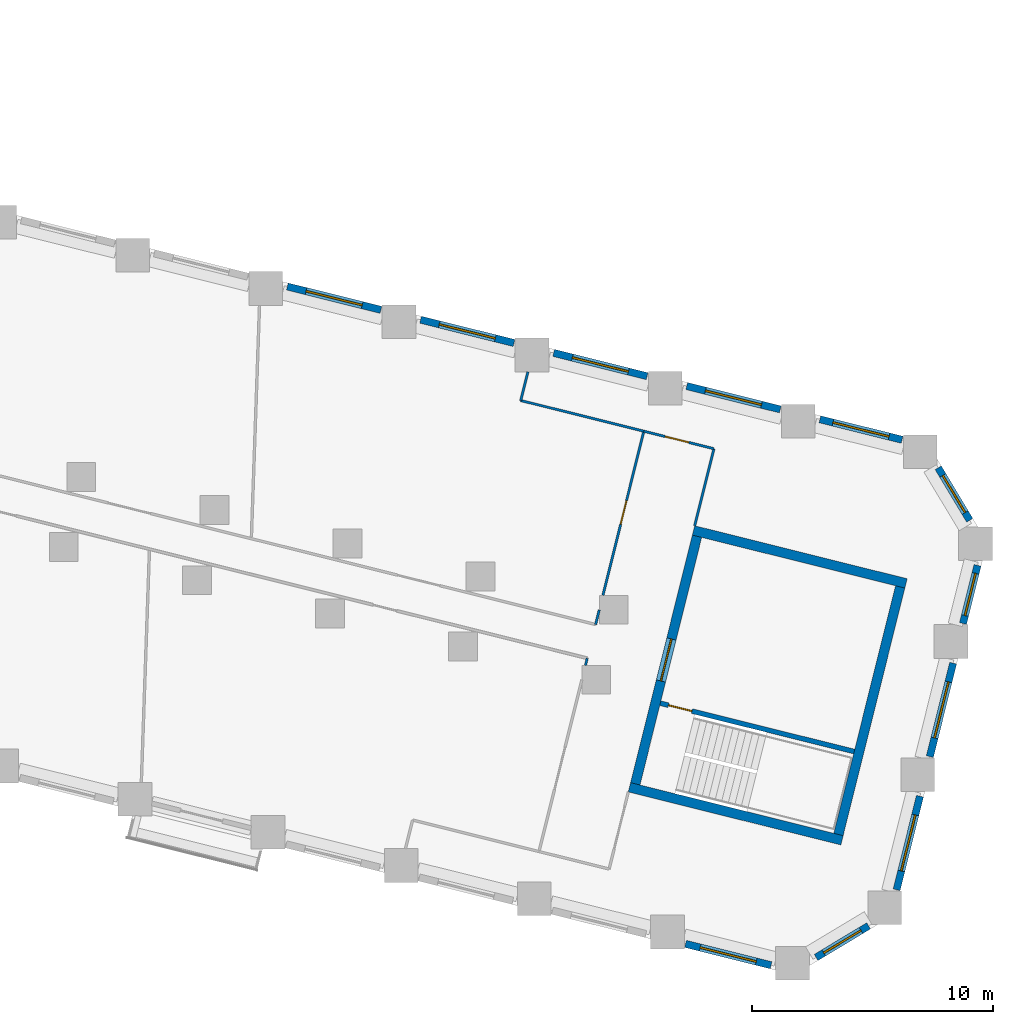
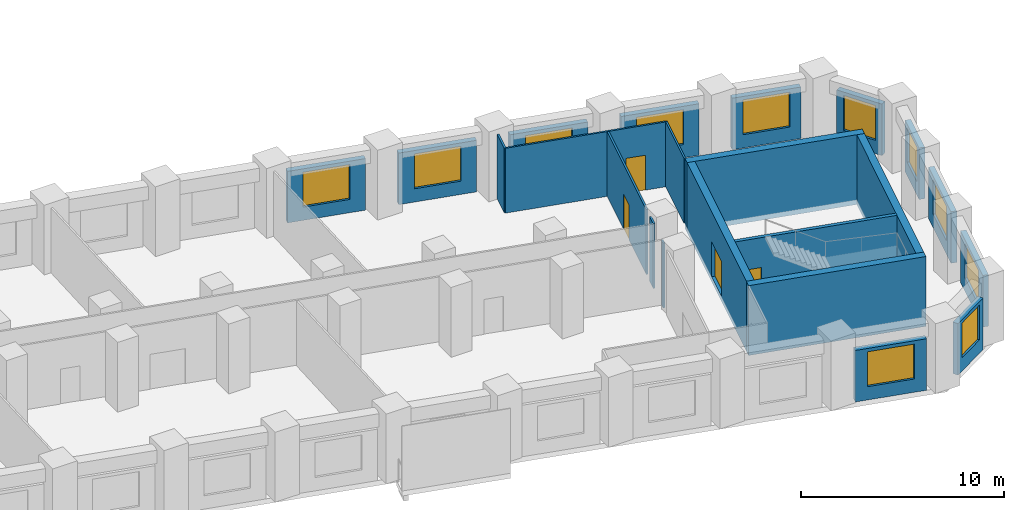
# One storey, part 7 of 11: 23 walls, 11 windows, 4 doors, 15 openings.
"""IFC4 building model written with IfcOpenShell, lengths in metres."""

import ifcopenshell
import ifcopenshell.guid

model = None  # the IFC model being written
_history = None  # IfcOwnerHistory: only IFC2X3 demands one
_inside = {}  # id of a spatial element -> (the spatial element, [elements in it])
_under = {}  # id of a project, library or spatial element -> (it, [spatial elements below it])
_declared = {}  # id of a project -> (the project, [libraries it declares])
_typed = {}  # id of a type object -> (the type object, [elements of that type])
_made_of = {}  # id of a material, layer set ... -> (it, [elements and type objects made of it])


def new_model(schema):
    """Start an empty IFC model of exactly this schema.

    Asked for "IFC4X3", IfcOpenShell would pick the latest addendum, in which some entities
    have other attributes; the version numbers below select the first issue.
    IFC2X3 requires an IfcOwnerHistory on every rooted entity: one is made here for all.
    """
    global model, _history
    if schema == "IFC4X3":
        model = ifcopenshell.file(schema_version=(4, 3, 0, 0))
    else:
        model = ifcopenshell.file(schema=schema)
    _inside.clear()
    _under.clear()
    _declared.clear()
    _typed.clear()
    _made_of.clear()
    _history = None
    if model.schema == "IFC2X3":
        org = make("IfcOrganization", Name="unknown")
        user = make(
            "IfcPersonAndOrganization",
            ThePerson=make("IfcPerson", FamilyName="unknown"),
            TheOrganization=org,
        )
        app = make(
            "IfcApplication",
            ApplicationDeveloper=org,
            Version="unknown",
            ApplicationFullName="unknown",
            ApplicationIdentifier="unknown",
        )
        _history = make(
            "IfcOwnerHistory",
            OwningUser=user,
            OwningApplication=app,
            ChangeAction="ADDED",
            CreationDate=0,
        )
    return model


def make(cls, **values):
    """One entity of the class cls with the attributes given. An attribute that is None is left unset."""
    return model.create_entity(
        cls, **{name: value for name, value in values.items() if value is not None}
    )


def rooted(cls, **values):
    """An entity with a GlobalId (a new one), such as an element, a storey or a relation."""
    return make(cls, GlobalId=ifcopenshell.guid.new(), OwnerHistory=_history, **values)


def si_unit(unit_type, name, prefix=None):
    """IfcSIUnit, for example si_unit("LENGTHUNIT", "METRE", prefix="MILLI")."""
    return make("IfcSIUnit", UnitType=unit_type, Prefix=prefix, Name=name)


def assignment(units):
    """IfcUnitAssignment: the units of a project."""
    return None if units is None else make("IfcUnitAssignment", Units=units)


def point(xyz):
    """IfcCartesianPoint."""
    return None if xyz is None else make("IfcCartesianPoint", Coordinates=xyz)


def direction(xyz):
    """IfcDirection."""
    return None if xyz is None else make("IfcDirection", DirectionRatios=xyz)


def frame(location, z_axis=None, x_axis=None):
    """IfcAxis2Placement3D, a coordinate frame: its origin and axes. An axis left out is left unset."""
    return make(
        "IfcAxis2Placement3D",
        Location=point(location),
        Axis=direction(z_axis),
        RefDirection=direction(x_axis),
    )


def frame_2d(location, x_axis=None):
    """IfcAxis2Placement2D, a coordinate frame in the plane: its origin and x axis."""
    return make(
        "IfcAxis2Placement2D", Location=point(location), RefDirection=direction(x_axis)
    )


def origin():
    """The frame at (0, 0, 0) with its axes left unset."""
    return frame((0.0, 0.0, 0.0))


def place(relative_to, where):
    """IfcLocalPlacement: puts the frame where relative to a parent placement (None: the world)."""
    return make(
        "IfcLocalPlacement", PlacementRelTo=relative_to, RelativePlacement=where
    )


def context(
    kind, dimensions, precision=None, world=None, true_north=None, identifier=None
):
    """IfcGeometricRepresentationContext, for example the 3D "Model" context."""
    return make(
        "IfcGeometricRepresentationContext",
        ContextIdentifier=identifier,
        ContextType=kind,
        CoordinateSpaceDimension=dimensions,
        Precision=precision,
        WorldCoordinateSystem=world,
        TrueNorth=true_north,
    )


def subcontext(parent, identifier, kind, view, scale=None):
    """IfcGeometricRepresentationSubContext, for example "Body" below "Model"."""
    return make(
        "IfcGeometricRepresentationSubContext",
        ContextIdentifier=identifier,
        ContextType=kind,
        ParentContext=parent,
        TargetScale=scale,
        TargetView=view,
    )


def project(units=None, contexts=None):
    """IfcProject with its units and contexts."""
    return rooted(
        "IfcProject",
        Name="project",
        RepresentationContexts=contexts,
        UnitsInContext=assignment(units),
    )


def spatial(cls, under=None, at=None, **own):
    """A site, building, storey or space (cls), placed at a placement, below another one or the project."""
    s = rooted(cls, ObjectPlacement=at, **own)
    if under is not None:
        _under.setdefault(under.id(), (under, []))[1].append(s)
    return s


def profile(cls, at=None, kind="AREA", **sizes):
    """A parametric profile (cls). Its sizes go by their IFC names, for example OverallWidth=200.0."""
    return make(cls, ProfileType=kind, Position=at, **sizes)


def rectangle(**sizes):
    """IfcRectangleProfileDef."""
    return profile("IfcRectangleProfileDef", **sizes)


def extrude(swept, where, along, depth):
    """IfcExtrudedAreaSolid: the profile swept, set in the frame where, extruded along a direction by depth."""
    return make(
        "IfcExtrudedAreaSolid",
        SweptArea=swept,
        Position=where,
        ExtrudedDirection=direction(along),
        Depth=depth,
    )


def shape(context_of_items, identifier, shape_type, items):
    """IfcShapeRepresentation: the items that make up one representation, for example the "Body"."""
    return make(
        "IfcShapeRepresentation",
        ContextOfItems=context_of_items,
        RepresentationIdentifier=identifier,
        RepresentationType=shape_type,
        Items=items,
    )


def material(Name=None, Category=None):
    """IfcMaterial."""
    return make("IfcMaterial", Name=Name, Category=Category)


def layer(
    of_material, thickness, ventilated=None, Name=None, Category=None, Priority=None
):
    """IfcMaterialLayer: one layer of a wall or slab, of a material (None: an air gap)."""
    return make(
        "IfcMaterialLayer",
        Material=of_material,
        LayerThickness=thickness,
        IsVentilated=ventilated,
        Name=Name,
        Category=Category,
        Priority=Priority,
    )


def layer_set(layers, Name=None):
    """IfcMaterialLayerSet."""
    return make("IfcMaterialLayerSet", MaterialLayers=layers, LayerSetName=Name)


def made_of(thing, what):
    """Note that an element or type object is made of a material, layer set ...; save() writes the relation."""
    if what is not None:
        _made_of.setdefault(what.id(), (what, []))[1].append(thing)
    return thing


def type_object(cls, material=None, **own):
    """A type object (cls), such as IfcWallType, which elements share."""
    return made_of(rooted(cls, **own), material)


def element(
    cls,
    number,
    at=None,
    inside=None,
    cuts=None,
    type_object=None,
    material=None,
    context=None,
    identifier="Body",
    shape_type=None,
    held_by="IfcProductDefinitionShape",
    body=None,
    shapes=None,
    **own,
):
    """One element of the class cls, such as IfcWall. Its Tag is "e" and its number.

    at: its placement. inside: the storey or other place that contains it. cuts: it is an
    opening in that element (IfcRelVoidsElement). A single representation is given by context,
    identifier, shape_type and body (its items); several are given by shapes. held_by: the class
    of the entity that holds the representations. save() writes the other relations.
    """
    e = rooted(cls, Tag="e%d" % number, ObjectPlacement=at, **own)
    if body is not None:
        shapes = [shape(context, identifier, shape_type, body)]
    if shapes is not None:
        e.Representation = make(held_by, Representations=shapes)
    if inside is not None:
        _inside.setdefault(inside.id(), (inside, []))[1].append(e)
    if cuts is not None:
        rooted(
            "IfcRelVoidsElement", RelatingBuildingElement=cuts, RelatedOpeningElement=e
        )
    if type_object is not None:
        _typed.setdefault(type_object.id(), (type_object, []))[1].append(e)
    return made_of(e, material)


def fill(opening, filler):
    """IfcRelFillsElement: the door or window that sits in an opening."""
    return rooted(
        "IfcRelFillsElement",
        RelatingOpeningElement=opening,
        RelatedBuildingElement=filler,
    )


def aggregate(whole, parts):
    """IfcRelAggregates: a whole, such as a stair, and the parts it consists of."""
    return rooted("IfcRelAggregates", RelatingObject=whole, RelatedObjects=parts)


def save(model, path):
    """Write the relations noted so far, then the file.

    IfcRelAggregates (storeys below a building ...), IfcRelContainedInSpatialStructure (elements
    in a storey), IfcRelDefinesByType, IfcRelAssociatesMaterial and IfcRelDeclares: one each for
    every whole, place, type object, material and project.
    """
    for whole, parts in _under.values():
        aggregate(whole, parts)
    for where, things in _inside.values():
        rooted(
            "IfcRelContainedInSpatialStructure",
            RelatedElements=things,
            RelatingStructure=where,
        )
    for kind, things in _typed.values():
        rooted("IfcRelDefinesByType", RelatedObjects=things, RelatingType=kind)
    for what, things in _made_of.values():
        rooted("IfcRelAssociatesMaterial", RelatedObjects=things, RelatingMaterial=what)
    for by, libraries in _declared.values():
        rooted("IfcRelDeclares", RelatingContext=by, RelatedDefinitions=libraries)
    model.write(path)


model = new_model("IFC4")

# Units and contexts
model_context = context("Model", 3, precision=1e-05, world=origin(), true_north=direction((0.0, 1.0)))
body_context = subcontext(model_context, "Body", "Model", "MODEL_VIEW")
ifc_project = project(units=[si_unit("LENGTHUNIT", "METRE"), si_unit("AREAUNIT", "SQUARE_METRE"), si_unit("VOLUMEUNIT", "CUBIC_METRE"), si_unit("PLANEANGLEUNIT", "RADIAN"), si_unit("MASSUNIT", "GRAM", prefix="KILO")], contexts=[model_context])

# Site, building, storey
site_placement = place(None, origin())
site = spatial("IfcSite", under=ifc_project, at=site_placement, CompositionType="ELEMENT")
building_placement = place(site_placement, origin())
building = spatial("IfcBuilding", under=site, at=building_placement, Name="Meshkara Civic Tower", CompositionType="ELEMENT")
storey_placement = place(building_placement, frame((0.0, 0.0, 75.0)))
storey = spatial("IfcBuildingStorey", under=building, at=storey_placement, Name="L16", CompositionType="ELEMENT", Elevation=75.0)

# Walls
ifc_material_1 = material(Name="Corridor wall 100")
ifc_layer_1 = layer(ifc_material_1, 0.10009765625)
ifc_layer_set_1 = layer_set([ifc_layer_1], Name="Corridor wall 100")
wall_type_1 = type_object("IfcWallType", Name="Corridor wall 100", PredefinedType="PARTITIONING", material=ifc_layer_set_1)
wall_1_placement = place(storey_placement, frame((74.35595703125, -7.534912109375, 0.0), z_axis=(0.0, 0.0, 1.0), x_axis=(-0.24082959107, -0.970567415518, 0.0)))
element("IfcWall", 1, at=wall_1_placement, inside=storey, type_object=wall_type_1, Name="L16-W027", PredefinedType="PARTITIONING", context=body_context, shape_type="SweptSolid", body=[
    extrude(rectangle(XDim=0.30322265625, YDim=0.10009765625, at=frame_2d((0.151611328125, 0.0))), origin(), (0.0, 0.0, 1.0), 3.89990234375),
])
wall_2_placement = place(storey_placement, frame((74.85595703125, -5.527099609375, 0.0), z_axis=(0.0, 0.0, 1.0), x_axis=(-0.241982798004, -0.970280539571, 0.0)))
element("IfcWall", 2, at=wall_2_placement, inside=storey, type_object=wall_type_1, Name="L16-W028", PredefinedType="PARTITIONING", context=body_context, shape_type="SweptSolid", body=[
    extrude(rectangle(XDim=0.62353515625, YDim=0.10009765625, at=frame_2d((0.311767578125, 0.0))), origin(), (0.0, 0.0, 1.0), 3.89990234375),
])

# Wall, opening, door
wall_3_placement = place(storey_placement, frame((76.7080078125, 1.89892578125, 0.0), z_axis=(0.0, 0.0, 1.0), x_axis=(-0.241963232294, -0.970285418945, 0.0)))
wall_3 = element("IfcWall", 3, at=wall_3_placement, inside=storey, type_object=wall_type_1, Name="L16-W030", PredefinedType="PARTITIONING", context=body_context, shape_type="SweptSolid", body=[
    extrude(rectangle(XDim=7.025634765625, YDim=0.10009765625, at=frame_2d((3.5126953125, 0.0))), origin(), (0.0, 0.0, 1.0), 3.89990234375),
])
opening_1_placement = place(wall_3_placement, frame((2.97998046875, 0.0, 0.0)))
opening_1 = element("IfcOpeningElement", 4, at=opening_1_placement, cuts=wall_3, Name="Opening L16-D008", PredefinedType="OPENING", context=body_context, shape_type="SweptSolid", body=[
    extrude(rectangle(XDim=1.0, YDim=2.10009765625, at=frame_2d((0.5, 1.050048828125))), frame((0.0, 0.06005859375, 0.0), z_axis=(0.0, -1.0, 0.0), x_axis=(1.0, 0.0, 0.0)), (0.0, 0.0, 1.0), 0.1201171875),
])
ifc_material_2 = material(Name="Door 1000 x 2100")
door_type_1 = type_object("IfcDoorType", Name="Door 1000 x 2100", OperationType="SINGLE_SWING_LEFT", PredefinedType="DOOR", material=ifc_material_2)
door_1_placement = place(opening_1_placement, origin())
door_1 = element("IfcDoor", 5, at=door_1_placement, inside=storey, type_object=door_type_1, Name="L16-D008", OperationType="SINGLE_SWING_RIGHT", OverallHeight=2.10009765625, OverallWidth=1.0, PredefinedType="DOOR", context=body_context, shape_type="SweptSolid", body=[
    extrude(rectangle(XDim=1.0, YDim=2.10009765625, at=frame_2d((0.5, 1.050048828125))), frame((0.0, 0.02490234375, 0.0), z_axis=(0.0, -1.0, 0.0), x_axis=(1.0, 0.0, 0.0)), (0.0, 0.0, 1.0), 0.050048828125),
])
fill(opening_1, door_1)

# Wall
wall_4_placement = place(storey_placement, frame((78.821044921875, -2.029052734375, 0.0), z_axis=(0.0, 0.0, 1.0), x_axis=(0.241769629392, 0.970333677816, 0.0)))
element("IfcWall", 6, at=wall_4_placement, inside=storey, type_object=wall_type_1, Name="L16-W031", PredefinedType="PARTITIONING", context=body_context, shape_type="SweptSolid", body=[
    extrude(rectangle(XDim=3.300048828125, YDim=0.10009765625, at=frame_2d((1.64990234375, 0.0))), origin(), (0.0, 0.0, 1.0), 3.89990234375),
])

# Wall, opening, door
wall_5_placement = place(storey_placement, frame((79.618896484375, 1.173095703125, 0.0), z_axis=(0.0, 0.0, 1.0), x_axis=(-0.970290716908, 0.241941986192, 0.0)))
wall_5 = element("IfcWall", 7, at=wall_5_placement, inside=storey, type_object=wall_type_1, Name="L16-W032", PredefinedType="PARTITIONING", context=body_context, shape_type="SweptSolid", body=[
    extrude(rectangle(XDim=3.0, YDim=0.10009765625, at=frame_2d((1.5, 0.0))), origin(), (0.0, 0.0, 1.0), 3.89990234375),
])
opening_2_placement = place(wall_5_placement, frame((1.080078125, 0.0, 0.0)))
opening_2 = element("IfcOpeningElement", 8, at=opening_2_placement, cuts=wall_5, Name="Opening L16-D012", PredefinedType="OPENING", context=body_context, shape_type="SweptSolid", body=[
    extrude(rectangle(XDim=1.0, YDim=2.10009765625, at=frame_2d((0.5, 1.050048828125))), frame((0.0, 0.06005859375, 0.0), z_axis=(0.0, -1.0, 0.0), x_axis=(1.0, 0.0, 0.0)), (0.0, 0.0, 1.0), 0.1201171875),
])
door_2_placement = place(opening_2_placement, origin())
door_2 = element("IfcDoor", 9, at=door_2_placement, inside=storey, type_object=door_type_1, Name="L16-D012", OperationType="SINGLE_SWING_LEFT", OverallHeight=2.10009765625, OverallWidth=1.0, PredefinedType="DOOR", context=body_context, shape_type="SweptSolid", body=[
    extrude(rectangle(XDim=1.0, YDim=2.10009765625, at=frame_2d((0.5, 1.050048828125))), frame((0.0, 0.02490234375, 0.0), z_axis=(0.0, -1.0, 0.0), x_axis=(1.0, 0.0, 0.0)), (0.0, 0.0, 1.0), 0.050048828125),
])
fill(opening_2, door_2)

# Wall, opening, window
ifc_material_3 = material(Name="Insulated infill panel with bronze anodised aluminium cladding", Category="aluminium")
ifc_layer_2 = layer(ifc_material_3, 0.300048828125)
ifc_layer_set_2 = layer_set([ifc_layer_2], Name="EXTERNAL INFILL WALL 300")
wall_type_2 = type_object("IfcWallType", Name="EXTERNAL INFILL WALL 300", PredefinedType="SOLIDWALL", material=ifc_layer_set_2)
wall_6_placement = place(storey_placement, frame((87.43505859375, 1.54296875, 0.0), z_axis=(0.0, 0.0, 1.0), x_axis=(-0.970289298425, 0.241947674843, 0.0)))
wall_6 = element("IfcWall", 10, at=wall_6_placement, inside=storey, type_object=wall_type_2, Name="External wall", PredefinedType="SOLIDWALL", context=body_context, shape_type="SweptSolid", body=[
    extrude(rectangle(XDim=3.517578125, YDim=0.300048828125, at=frame_2d((1.7587890625, 0.0))), origin(), (0.0, 0.0, 1.0), 3.10009765625),
])
opening_3_placement = place(wall_6_placement, frame((0.55908203125, 0.0, 0.800048828125)))
opening_3 = element("IfcOpeningElement", 11, at=opening_3_placement, cuts=wall_6, Name="Opening W7", PredefinedType="OPENING", context=body_context, shape_type="SweptSolid", body=[
    extrude(rectangle(XDim=2.39990234375, YDim=2.10009765625, at=frame_2d((1.199951171875, 1.050048828125))), frame((0.0, 0.159912109375, 0.0), z_axis=(0.0, -1.0, 0.0), x_axis=(1.0, 0.0, 0.0)), (0.0, 0.0, 1.0), 0.320068359375),
])
ifc_material_4 = material(Name="Tinted double glazing", Category="glass")
window_type_1 = type_object("IfcWindowType", Name="WINDOW 2400x2100", PartitioningType="DOUBLE_PANEL_VERTICAL", PredefinedType="WINDOW", material=ifc_material_4)
window_1_placement = place(opening_3_placement, origin())
window_1 = element("IfcWindow", 12, at=window_1_placement, inside=storey, type_object=window_type_1, Name="Window", OverallHeight=2.10009765625, OverallWidth=2.39990234375, PartitioningType="DOUBLE_PANEL_VERTICAL", PredefinedType="WINDOW", context=body_context, shape_type="SweptSolid", body=[
    extrude(rectangle(XDim=2.39990234375, YDim=2.10009765625, at=frame_2d((1.199951171875, 1.050048828125))), frame((0.0, 0.030029296875, 0.0), z_axis=(0.0, -1.0, 0.0), x_axis=(1.0, 0.0, 0.0)), (0.0, 0.0, 1.0), 0.06005859375),
])
fill(opening_3, window_1)

wall_7_placement = place(storey_placement, frame((82.375, 2.804931640625, 0.0), z_axis=(0.0, 0.0, 1.0), x_axis=(-0.970318045095, 0.24183236211, 0.0)))
wall_7 = element("IfcWall", 13, at=wall_7_placement, inside=storey, type_object=wall_type_2, Name="External wall", PredefinedType="SOLIDWALL", context=body_context, shape_type="SweptSolid", body=[
    extrude(rectangle(XDim=4.0029296875, YDim=0.300048828125, at=frame_2d((2.00146484375, 0.0))), origin(), (0.0, 0.0, 1.0), 3.10009765625),
])
opening_4_placement = place(wall_7_placement, frame((0.802001953125, 0.0, 0.800048828125)))
opening_4 = element("IfcOpeningElement", 14, at=opening_4_placement, cuts=wall_7, Name="Opening W7", PredefinedType="OPENING", context=body_context, shape_type="SweptSolid", body=[
    extrude(rectangle(XDim=2.39990234375, YDim=2.10009765625, at=frame_2d((1.199951171875, 1.050048828125))), frame((0.0, 0.159912109375, 0.0), z_axis=(0.0, -1.0, 0.0), x_axis=(1.0, 0.0, 0.0)), (0.0, 0.0, 1.0), 0.320068359375),
])
window_2_placement = place(opening_4_placement, origin())
window_2 = element("IfcWindow", 15, at=window_2_placement, inside=storey, type_object=window_type_1, Name="Window", OverallHeight=2.10009765625, OverallWidth=2.39990234375, PartitioningType="DOUBLE_PANEL_VERTICAL", PredefinedType="WINDOW", context=body_context, shape_type="SweptSolid", body=[
    extrude(rectangle(XDim=2.39990234375, YDim=2.10009765625, at=frame_2d((1.199951171875, 1.050048828125))), frame((0.0, 0.030029296875, 0.0), z_axis=(0.0, -1.0, 0.0), x_axis=(1.0, 0.0, 0.0)), (0.0, 0.0, 1.0), 0.06005859375),
])
fill(opening_4, window_2)

wall_8_placement = place(storey_placement, frame((76.843994140625, 4.18408203125, 0.0), z_axis=(0.0, 0.0, 1.0), x_axis=(-0.970303772127, 0.241889623168, 0.0)))
wall_8 = element("IfcWall", 16, at=wall_8_placement, inside=storey, type_object=wall_type_2, Name="External wall", PredefinedType="SOLIDWALL", context=body_context, shape_type="SweptSolid", body=[
    extrude(rectangle(XDim=4.001953125, YDim=0.300048828125, at=frame_2d((2.0009765625, 0.0))), origin(), (0.0, 0.0, 1.0), 3.10009765625),
])
opening_5_placement = place(wall_8_placement, frame((0.801025390625, 0.0, 0.800048828125)))
opening_5 = element("IfcOpeningElement", 17, at=opening_5_placement, cuts=wall_8, Name="Opening W7", PredefinedType="OPENING", context=body_context, shape_type="SweptSolid", body=[
    extrude(rectangle(XDim=2.39990234375, YDim=2.10009765625, at=frame_2d((1.199951171875, 1.050048828125))), frame((0.0, 0.159912109375, 0.0), z_axis=(0.0, -1.0, 0.0), x_axis=(1.0, 0.0, 0.0)), (0.0, 0.0, 1.0), 0.320068359375),
])
window_3_placement = place(opening_5_placement, origin())
window_3 = element("IfcWindow", 18, at=window_3_placement, inside=storey, type_object=window_type_1, Name="Window", OverallHeight=2.10009765625, OverallWidth=2.39990234375, PartitioningType="DOUBLE_PANEL_VERTICAL", PredefinedType="WINDOW", context=body_context, shape_type="SweptSolid", body=[
    extrude(rectangle(XDim=2.39990234375, YDim=2.10009765625, at=frame_2d((1.199951171875, 1.050048828125))), frame((0.0, 0.030029296875, 0.0), z_axis=(0.0, -1.0, 0.0), x_axis=(1.0, 0.0, 0.0)), (0.0, 0.0, 1.0), 0.06005859375),
])
fill(opening_5, window_3)

wall_9_placement = place(storey_placement, frame((71.31396484375, 5.56298828125, 0.0), z_axis=(0.0, 0.0, 1.0), x_axis=(-0.970318045095, 0.24183236211, 0.0)))
wall_9 = element("IfcWall", 19, at=wall_9_placement, inside=storey, type_object=wall_type_2, Name="External wall", PredefinedType="SOLIDWALL", context=body_context, shape_type="SweptSolid", body=[
    extrude(rectangle(XDim=4.0029296875, YDim=0.300048828125, at=frame_2d((2.00146484375, 0.0))), origin(), (0.0, 0.0, 1.0), 3.10009765625),
])
opening_6_placement = place(wall_9_placement, frame((0.802001953125, 0.0, 0.800048828125)))
opening_6 = element("IfcOpeningElement", 20, at=opening_6_placement, cuts=wall_9, Name="Opening W7", PredefinedType="OPENING", context=body_context, shape_type="SweptSolid", body=[
    extrude(rectangle(XDim=2.39990234375, YDim=2.10009765625, at=frame_2d((1.199951171875, 1.050048828125))), frame((0.0, 0.159912109375, 0.0), z_axis=(0.0, -1.0, 0.0), x_axis=(1.0, 0.0, 0.0)), (0.0, 0.0, 1.0), 0.320068359375),
])
window_4_placement = place(opening_6_placement, origin())
window_4 = element("IfcWindow", 21, at=window_4_placement, inside=storey, type_object=window_type_1, Name="Window", OverallHeight=2.10009765625, OverallWidth=2.39990234375, PartitioningType="DOUBLE_PANEL_VERTICAL", PredefinedType="WINDOW", context=body_context, shape_type="SweptSolid", body=[
    extrude(rectangle(XDim=2.39990234375, YDim=2.10009765625, at=frame_2d((1.199951171875, 1.050048828125))), frame((0.0, 0.030029296875, 0.0), z_axis=(0.0, -1.0, 0.0), x_axis=(1.0, 0.0, 0.0)), (0.0, 0.0, 1.0), 0.06005859375),
])
fill(opening_6, window_4)

wall_10_placement = place(storey_placement, frame((65.782958984375, 6.94189453125, 0.0), z_axis=(0.0, 0.0, 1.0), x_axis=(-0.970318045095, 0.24183236211, 0.0)))
wall_10 = element("IfcWall", 22, at=wall_10_placement, inside=storey, type_object=wall_type_2, Name="External wall", PredefinedType="SOLIDWALL", context=body_context, shape_type="SweptSolid", body=[
    extrude(rectangle(XDim=4.0029296875, YDim=0.300048828125, at=frame_2d((2.00146484375, 0.0))), origin(), (0.0, 0.0, 1.0), 3.10009765625),
])
opening_7_placement = place(wall_10_placement, frame((0.802001953125, 0.0, 0.800048828125)))
opening_7 = element("IfcOpeningElement", 23, at=opening_7_placement, cuts=wall_10, Name="Opening W7", PredefinedType="OPENING", context=body_context, shape_type="SweptSolid", body=[
    extrude(rectangle(XDim=2.39990234375, YDim=2.10009765625, at=frame_2d((1.199951171875, 1.050048828125))), frame((0.0, 0.159912109375, 0.0), z_axis=(0.0, -1.0, 0.0), x_axis=(1.0, 0.0, 0.0)), (0.0, 0.0, 1.0), 0.320068359375),
])
window_5_placement = place(opening_7_placement, origin())
window_5 = element("IfcWindow", 24, at=window_5_placement, inside=storey, type_object=window_type_1, Name="Window", OverallHeight=2.10009765625, OverallWidth=2.39990234375, PartitioningType="DOUBLE_PANEL_VERTICAL", PredefinedType="WINDOW", context=body_context, shape_type="SweptSolid", body=[
    extrude(rectangle(XDim=2.39990234375, YDim=2.10009765625, at=frame_2d((1.199951171875, 1.050048828125))), frame((0.0, 0.030029296875, 0.0), z_axis=(0.0, -1.0, 0.0), x_axis=(1.0, 0.0, 0.0)), (0.0, 0.0, 1.0), 0.06005859375),
])
fill(opening_7, window_5)

wall_11_placement = place(storey_placement, frame((78.43994140625, -19.402099609375, 0.0), z_axis=(0.0, 0.0, 1.0), x_axis=(0.970271818873, -0.24201776278, 0.0)))
wall_11 = element("IfcWall", 25, at=wall_11_placement, inside=storey, type_object=wall_type_2, Name="External wall", PredefinedType="SOLIDWALL", context=body_context, shape_type="SweptSolid", body=[
    extrude(rectangle(XDim=3.660888671875, YDim=0.300048828125, at=frame_2d((1.83056640625, 0.0))), origin(), (0.0, 0.0, 1.0), 3.10009765625),
])
opening_8_placement = place(wall_11_placement, frame((0.6298828125, 0.0, 0.800048828125)))
opening_8 = element("IfcOpeningElement", 26, at=opening_8_placement, cuts=wall_11, Name="Opening W7", PredefinedType="OPENING", context=body_context, shape_type="SweptSolid", body=[
    extrude(rectangle(XDim=2.39990234375, YDim=2.10009765625, at=frame_2d((1.199951171875, 1.050048828125))), frame((0.0, 0.159912109375, 0.0), z_axis=(0.0, -1.0, 0.0), x_axis=(1.0, 0.0, 0.0)), (0.0, 0.0, 1.0), 0.320068359375),
])
window_6_placement = place(opening_8_placement, origin())
window_6 = element("IfcWindow", 27, at=window_6_placement, inside=storey, type_object=window_type_1, Name="Window", OverallHeight=2.10009765625, OverallWidth=2.39990234375, PartitioningType="DOUBLE_PANEL_VERTICAL", PredefinedType="WINDOW", context=body_context, shape_type="SweptSolid", body=[
    extrude(rectangle(XDim=2.39990234375, YDim=2.10009765625, at=frame_2d((1.199951171875, 1.050048828125))), frame((0.0, 0.030029296875, 0.0), z_axis=(0.0, -1.0, 0.0), x_axis=(1.0, 0.0, 0.0)), (0.0, 0.0, 1.0), 0.06005859375),
])
fill(opening_8, window_6)

wall_12_placement = place(storey_placement, frame((83.865966796875, -19.965087890625, 0.0), z_axis=(0.0, 0.0, 1.0), x_axis=(0.857026568426, 0.515272220299, 0.0)))
wall_12 = element("IfcWall", 28, at=wall_12_placement, inside=storey, type_object=wall_type_2, Name="External wall", PredefinedType="SOLIDWALL", context=body_context, shape_type="SweptSolid", body=[
    extrude(rectangle(XDim=2.54248046875, YDim=0.300048828125, at=frame_2d((1.271240234375, 0.0))), origin(), (0.0, 0.0, 1.0), 3.10009765625),
])
opening_9_placement = place(wall_12_placement, frame((0.37109375, 0.0, 0.800048828125)))
opening_9 = element("IfcOpeningElement", 29, at=opening_9_placement, cuts=wall_12, Name="Opening W9", PredefinedType="OPENING", context=body_context, shape_type="SweptSolid", body=[
    extrude(rectangle(XDim=1.800048828125, YDim=2.10009765625, at=frame_2d((0.89990234375, 1.050048828125))), frame((0.0, 0.159912109375, 0.0), z_axis=(0.0, -1.0, 0.0), x_axis=(1.0, 0.0, 0.0)), (0.0, 0.0, 1.0), 0.320068359375),
])
ifc_material_5 = material(Name="Tinted double glazing", Category="glass")
window_type_2 = type_object("IfcWindowType", Name="WINDOW 1800x2100", PartitioningType="DOUBLE_PANEL_VERTICAL", PredefinedType="WINDOW", material=ifc_material_5)
window_7_placement = place(opening_9_placement, origin())
window_7 = element("IfcWindow", 30, at=window_7_placement, inside=storey, type_object=window_type_2, Name="Window", OverallHeight=2.10009765625, OverallWidth=1.800048828125, PartitioningType="DOUBLE_PANEL_VERTICAL", PredefinedType="WINDOW", context=body_context, shape_type="SweptSolid", body=[
    extrude(rectangle(XDim=1.800048828125, YDim=2.10009765625, at=frame_2d((0.89990234375, 1.050048828125))), frame((0.0, 0.030029296875, 0.0), z_axis=(0.0, -1.0, 0.0), x_axis=(1.0, 0.0, 0.0)), (0.0, 0.0, 1.0), 0.06005859375),
])
fill(opening_9, window_7)

wall_13_placement = place(storey_placement, frame((87.2109375, -17.152099609375, 0.0), z_axis=(0.0, 0.0, 1.0), x_axis=(0.24183236211, 0.970318045095, 0.0)))
wall_13 = element("IfcWall", 31, at=wall_13_placement, inside=storey, type_object=wall_type_2, Name="External wall", PredefinedType="SOLIDWALL", context=body_context, shape_type="SweptSolid", body=[
    extrude(rectangle(XDim=4.0029296875, YDim=0.300048828125, at=frame_2d((2.00146484375, 0.0))), origin(), (0.0, 0.0, 1.0), 3.10009765625),
])
opening_10_placement = place(wall_13_placement, frame((0.802001953125, 0.0, 0.800048828125)))
opening_10 = element("IfcOpeningElement", 32, at=opening_10_placement, cuts=wall_13, Name="Opening W7", PredefinedType="OPENING", context=body_context, shape_type="SweptSolid", body=[
    extrude(rectangle(XDim=2.39990234375, YDim=2.10009765625, at=frame_2d((1.199951171875, 1.050048828125))), frame((0.0, 0.159912109375, 0.0), z_axis=(0.0, -1.0, 0.0), x_axis=(1.0, 0.0, 0.0)), (0.0, 0.0, 1.0), 0.320068359375),
])
window_8_placement = place(opening_10_placement, origin())
window_8 = element("IfcWindow", 33, at=window_8_placement, inside=storey, type_object=window_type_1, Name="Window", OverallHeight=2.10009765625, OverallWidth=2.39990234375, PartitioningType="DOUBLE_PANEL_VERTICAL", PredefinedType="WINDOW", context=body_context, shape_type="SweptSolid", body=[
    extrude(rectangle(XDim=2.39990234375, YDim=2.10009765625, at=frame_2d((1.199951171875, 1.050048828125))), frame((0.0, 0.030029296875, 0.0), z_axis=(0.0, -1.0, 0.0), x_axis=(1.0, 0.0, 0.0)), (0.0, 0.0, 1.0), 0.06005859375),
])
fill(opening_10, window_8)

wall_14_placement = place(storey_placement, frame((88.590087890625, -11.62109375, 0.0), z_axis=(0.0, 0.0, 1.0), x_axis=(0.241889623168, 0.970303772127, 0.0)))
wall_14 = element("IfcWall", 34, at=wall_14_placement, inside=storey, type_object=wall_type_2, Name="External wall", PredefinedType="SOLIDWALL", context=body_context, shape_type="SweptSolid", body=[
    extrude(rectangle(XDim=4.001953125, YDim=0.300048828125, at=frame_2d((2.0009765625, 0.0))), origin(), (0.0, 0.0, 1.0), 3.10009765625),
])
opening_11_placement = place(wall_14_placement, frame((0.801025390625, 0.0, 0.800048828125)))
opening_11 = element("IfcOpeningElement", 35, at=opening_11_placement, cuts=wall_14, Name="Opening W7", PredefinedType="OPENING", context=body_context, shape_type="SweptSolid", body=[
    extrude(rectangle(XDim=2.39990234375, YDim=2.10009765625, at=frame_2d((1.199951171875, 1.050048828125))), frame((0.0, 0.159912109375, 0.0), z_axis=(0.0, -1.0, 0.0), x_axis=(1.0, 0.0, 0.0)), (0.0, 0.0, 1.0), 0.320068359375),
])
window_9_placement = place(opening_11_placement, origin())
window_9 = element("IfcWindow", 36, at=window_9_placement, inside=storey, type_object=window_type_1, Name="Window", OverallHeight=2.10009765625, OverallWidth=2.39990234375, PartitioningType="DOUBLE_PANEL_VERTICAL", PredefinedType="WINDOW", context=body_context, shape_type="SweptSolid", body=[
    extrude(rectangle(XDim=2.39990234375, YDim=2.10009765625, at=frame_2d((1.199951171875, 1.050048828125))), frame((0.0, 0.030029296875, 0.0), z_axis=(0.0, -1.0, 0.0), x_axis=(1.0, 0.0, 0.0)), (0.0, 0.0, 1.0), 0.06005859375),
])
fill(opening_11, window_9)

wall_15_placement = place(storey_placement, frame((89.968994140625, -6.091064453125, 0.0), z_axis=(0.0, 0.0, 1.0), x_axis=(0.241797277733, 0.9703267885, 0.0)))
wall_15 = element("IfcWall", 37, at=wall_15_placement, inside=storey, type_object=wall_type_2, Name="External wall", PredefinedType="SOLIDWALL", context=body_context, shape_type="SweptSolid", body=[
    extrude(rectangle(XDim=2.489990234375, YDim=0.300048828125, at=frame_2d((1.2451171875, 0.0))), origin(), (0.0, 0.0, 1.0), 3.10009765625),
])
opening_12_placement = place(wall_15_placement, frame((0.344970703125, 0.0, 0.800048828125)))
opening_12 = element("IfcOpeningElement", 38, at=opening_12_placement, cuts=wall_15, Name="Opening W9", PredefinedType="OPENING", context=body_context, shape_type="SweptSolid", body=[
    extrude(rectangle(XDim=1.800048828125, YDim=2.10009765625, at=frame_2d((0.89990234375, 1.050048828125))), frame((0.0, 0.159912109375, 0.0), z_axis=(0.0, -1.0, 0.0), x_axis=(1.0, 0.0, 0.0)), (0.0, 0.0, 1.0), 0.320068359375),
])
window_10_placement = place(opening_12_placement, origin())
window_10 = element("IfcWindow", 39, at=window_10_placement, inside=storey, type_object=window_type_2, Name="Window", OverallHeight=2.10009765625, OverallWidth=1.800048828125, PartitioningType="DOUBLE_PANEL_VERTICAL", PredefinedType="WINDOW", context=body_context, shape_type="SweptSolid", body=[
    extrude(rectangle(XDim=1.800048828125, YDim=2.10009765625, at=frame_2d((0.89990234375, 1.050048828125))), frame((0.0, 0.030029296875, 0.0), z_axis=(0.0, -1.0, 0.0), x_axis=(1.0, 0.0, 0.0)), (0.0, 0.0, 1.0), 0.06005859375),
])
fill(opening_12, window_10)

wall_16_placement = place(storey_placement, frame((90.248046875, -1.801025390625, 0.0), z_axis=(0.0, 0.0, 1.0), x_axis=(-0.515441886055, 0.856924536992, 0.0)))
wall_16 = element("IfcWall", 40, at=wall_16_placement, inside=storey, type_object=wall_type_2, Name="External wall", PredefinedType="SOLIDWALL", context=body_context, shape_type="SweptSolid", body=[
    extrude(rectangle(XDim=2.54150390625, YDim=0.300048828125, at=frame_2d((1.270751953125, 0.0))), origin(), (0.0, 0.0, 1.0), 3.10009765625),
])
opening_13_placement = place(wall_16_placement, frame((0.37109375, 0.0, 0.800048828125)))
opening_13 = element("IfcOpeningElement", 41, at=opening_13_placement, cuts=wall_16, Name="Opening W9", PredefinedType="OPENING", context=body_context, shape_type="SweptSolid", body=[
    extrude(rectangle(XDim=1.800048828125, YDim=2.10009765625, at=frame_2d((0.89990234375, 1.050048828125))), frame((0.0, 0.159912109375, 0.0), z_axis=(0.0, -1.0, 0.0), x_axis=(1.0, 0.0, 0.0)), (0.0, 0.0, 1.0), 0.320068359375),
])
window_11_placement = place(opening_13_placement, origin())
window_11 = element("IfcWindow", 42, at=window_11_placement, inside=storey, type_object=window_type_2, Name="Window", OverallHeight=2.10009765625, OverallWidth=1.800048828125, PartitioningType="DOUBLE_PANEL_VERTICAL", PredefinedType="WINDOW", context=body_context, shape_type="SweptSolid", body=[
    extrude(rectangle(XDim=1.800048828125, YDim=2.10009765625, at=frame_2d((0.89990234375, 1.050048828125))), frame((0.0, 0.030029296875, 0.0), z_axis=(0.0, -1.0, 0.0), x_axis=(1.0, 0.0, 0.0)), (0.0, 0.0, 1.0), 0.06005859375),
])
fill(opening_13, window_11)

# Walls
ifc_material_6 = material(Name="Concrete C80", Category="concrete")
ifc_layer_3 = layer(ifc_material_6, 0.39990234375)
ifc_layer_set_3 = layer_set([ifc_layer_3], Name="End core ring wall 400 C80")
wall_type_3 = type_object("IfcWallType", Name="End core ring wall 400 C80", PredefinedType="SHEAR", material=ifc_layer_set_3)
wall_17_placement = place(storey_placement, frame((76.111083984375, -12.89599609375, -0.300048828125), z_axis=(0.0, 0.0, 1.0), x_axis=(0.970311127573, -0.241860115992, 0.0)))
element("IfcWall", 43, at=wall_17_placement, inside=storey, type_object=wall_type_3, Name="L16-C031", PredefinedType="SHEAR", context=body_context, shape_type="SweptSolid", body=[
    extrude(rectangle(XDim=9.10009765625, YDim=0.39990234375, at=frame_2d((4.550048828125, 0.0))), origin(), (0.0, 0.0, 1.0), 4.199951171875),
])
wall_18_placement = place(storey_placement, frame((78.77197265625, -2.222900390625, -0.300048828125), z_axis=(0.0, 0.0, 1.0), x_axis=(0.970306400786, -0.241879078453, 0.0)))
element("IfcWall", 44, at=wall_18_placement, inside=storey, type_object=wall_type_3, Name="L16-C032", PredefinedType="SHEAR", context=body_context, shape_type="SweptSolid", body=[
    extrude(rectangle(XDim=9.100341796875, YDim=0.39990234375, at=frame_2d((4.55029296875, 0.0))), origin(), (0.0, 0.0, 1.0), 4.199951171875),
])

# Wall, opening, door
wall_19_placement = place(storey_placement, frame((76.35302734375, -12.75, -0.300048828125), z_axis=(0.0, 0.0, 1.0), x_axis=(0.241977390218, 0.970281888228, 0.0)))
wall_19 = element("IfcWall", 45, at=wall_19_placement, inside=storey, type_object=wall_type_3, Name="L16-C033", PredefinedType="SHEAR", context=body_context, shape_type="SweptSolid", body=[
    extrude(rectangle(XDim=10.599853515625, YDim=0.39990234375, at=frame_2d((5.2998046875, 0.0))), origin(), (0.0, 0.0, 1.0), 4.199951171875),
])
opening_14_placement = place(wall_19_placement, frame((4.39990234375, 0.0, 0.300048828125)))
opening_14 = element("IfcOpeningElement", 46, at=opening_14_placement, cuts=wall_19, Name="Opening L16-K202", PredefinedType="OPENING", context=body_context, shape_type="SweptSolid", body=[
    extrude(rectangle(XDim=1.800048828125, YDim=2.10009765625, at=frame_2d((0.89990234375, 1.050048828125))), frame((0.0, 0.2099609375, 0.0), z_axis=(0.0, -1.0, 0.0), x_axis=(1.0, 0.0, 0.0)), (0.0, 0.0, 1.0), 0.419921875),
])
ifc_material_7 = material(Name="Fire-rated door leaf in steel frame", Category="steel")
door_type_2 = type_object("IfcDoorType", Name="Core double door 1800 EI 60", OperationType="DOUBLE_DOOR_SINGLE_SWING", PredefinedType="DOOR", material=ifc_material_7)
door_3_placement = place(opening_14_placement, origin())
door_3 = element("IfcDoor", 47, at=door_3_placement, inside=storey, type_object=door_type_2, Name="L16-K202", OperationType="DOUBLE_DOOR_SINGLE_SWING", OverallHeight=2.10009765625, OverallWidth=1.800048828125, PredefinedType="DOOR", context=body_context, shape_type="SweptSolid", body=[
    extrude(rectangle(XDim=1.800048828125, YDim=2.10009765625, at=frame_2d((0.89990234375, 1.050048828125))), frame((0.0, 0.02490234375, 0.0), z_axis=(0.0, -1.0, 0.0), x_axis=(1.0, 0.0, 0.0)), (0.0, 0.0, 1.0), 0.050048828125),
])
fill(opening_14, door_3)

# Walls
wall_20_placement = place(storey_placement, frame((84.794921875, -14.85498046875, -0.300048828125), z_axis=(0.0, 0.0, 1.0), x_axis=(0.241890652548, 0.970303515509, 0.0)))
element("IfcWall", 48, at=wall_20_placement, inside=storey, type_object=wall_type_3, Name="L16-C034", PredefinedType="SHEAR", context=body_context, shape_type="SweptSolid", body=[
    extrude(rectangle(XDim=10.599609375, YDim=0.39990234375, at=frame_2d((5.2998046875, 0.0))), origin(), (0.0, 0.0, 1.0), 4.199951171875),
])
ifc_material_8 = material(Name="Partition 100")
ifc_layer_4 = layer(ifc_material_8, 0.10009765625)
ifc_layer_set_4 = layer_set([ifc_layer_4], Name="Partition 100")
wall_type_4 = type_object("IfcWallType", Name="Partition 100", PredefinedType="PARTITIONING", material=ifc_layer_set_4)
wall_21_placement = place(storey_placement, frame((71.593017578125, 3.174072265625, 0.0), z_axis=(0.0, 0.0, 1.0), x_axis=(0.241693721233, 0.97035258804, 0.0)))
element("IfcWall", 49, at=wall_21_placement, inside=storey, type_object=wall_type_4, Name="L16-W053", PredefinedType="PARTITIONING", context=body_context, shape_type="SweptSolid", body=[
    extrude(rectangle(XDim=1.228271484375, YDim=0.10009765625, at=frame_2d((0.6142578125, 0.0))), origin(), (0.0, 0.0, 1.0), 3.89990234375),
])
wall_22_placement = place(storey_placement, frame((76.7119140625, 1.89794921875, 0.0), z_axis=(0.0, 0.0, 1.0), x_axis=(-0.970302897998, 0.241893129577, 0.0)))
element("IfcWall", 50, at=wall_22_placement, inside=storey, type_object=wall_type_4, Name="L16-W054", PredefinedType="PARTITIONING", context=body_context, shape_type="SweptSolid", body=[
    extrude(rectangle(XDim=5.275634765625, YDim=0.10009765625, at=frame_2d((2.6376953125, 0.0))), origin(), (0.0, 0.0, 1.0), 3.89990234375),
])

# Wall, opening, door
ifc_material_9 = material(Name="Concrete C40/50", Category="concrete")
ifc_layer_5 = layer(ifc_material_9, 0.199951171875)
ifc_layer_set_5 = layer_set([ifc_layer_5], Name="Stair enclosure wall 200 C40/50")
wall_type_5 = type_object("IfcWallType", Name="Stair enclosure wall 200 C40/50", PredefinedType="SOLIDWALL", material=ifc_layer_set_5)
wall_23_placement = place(storey_placement, frame((77.39404296875, -9.403076171875, 0.0), z_axis=(0.0, 0.0, 1.0), x_axis=(0.970303192681, -0.241891947516, 0.0)))
wall_23 = element("IfcWall", 51, at=wall_23_placement, inside=storey, type_object=wall_type_5, Name="L16-C035", PredefinedType="SOLIDWALL", context=body_context, shape_type="SweptSolid", body=[
    extrude(rectangle(XDim=8.300537109375, YDim=0.199951171875, at=frame_2d((4.150390625, 0.0))), origin(), (0.0, 0.0, 1.0), 3.89990234375),
])
opening_15_placement = place(wall_23_placement, frame((0.35009765625, 0.0, 0.0)))
opening_15 = element("IfcOpeningElement", 52, at=opening_15_placement, cuts=wall_23, Name="Opening L16-K201", PredefinedType="OPENING", context=body_context, shape_type="SweptSolid", body=[
    extrude(rectangle(XDim=1.0, YDim=2.10009765625, at=frame_2d((0.5, 1.050048828125))), frame((0.0, 0.10986328125, 0.0), z_axis=(0.0, -1.0, 0.0), x_axis=(1.0, 0.0, 0.0)), (0.0, 0.0, 1.0), 0.219970703125),
])
ifc_material_10 = material(Name="Fire-rated door leaf in steel frame", Category="steel")
door_type_3 = type_object("IfcDoorType", Name="Stair door 1000 EI 120", OperationType="SINGLE_SWING_LEFT", PredefinedType="DOOR", material=ifc_material_10)
door_4_placement = place(opening_15_placement, origin())
door_4 = element("IfcDoor", 53, at=door_4_placement, inside=storey, type_object=door_type_3, Name="L16-K201", OperationType="SINGLE_SWING_LEFT", OverallHeight=2.10009765625, OverallWidth=1.0, PredefinedType="DOOR", context=body_context, shape_type="SweptSolid", body=[
    extrude(rectangle(XDim=1.0, YDim=2.10009765625, at=frame_2d((0.5, 1.050048828125))), frame((0.0, 0.02490234375, 0.0), z_axis=(0.0, -1.0, 0.0), x_axis=(1.0, 0.0, 0.0)), (0.0, 0.0, 1.0), 0.050048828125),
])
fill(opening_15, door_4)

save(model, "model.ifc")
